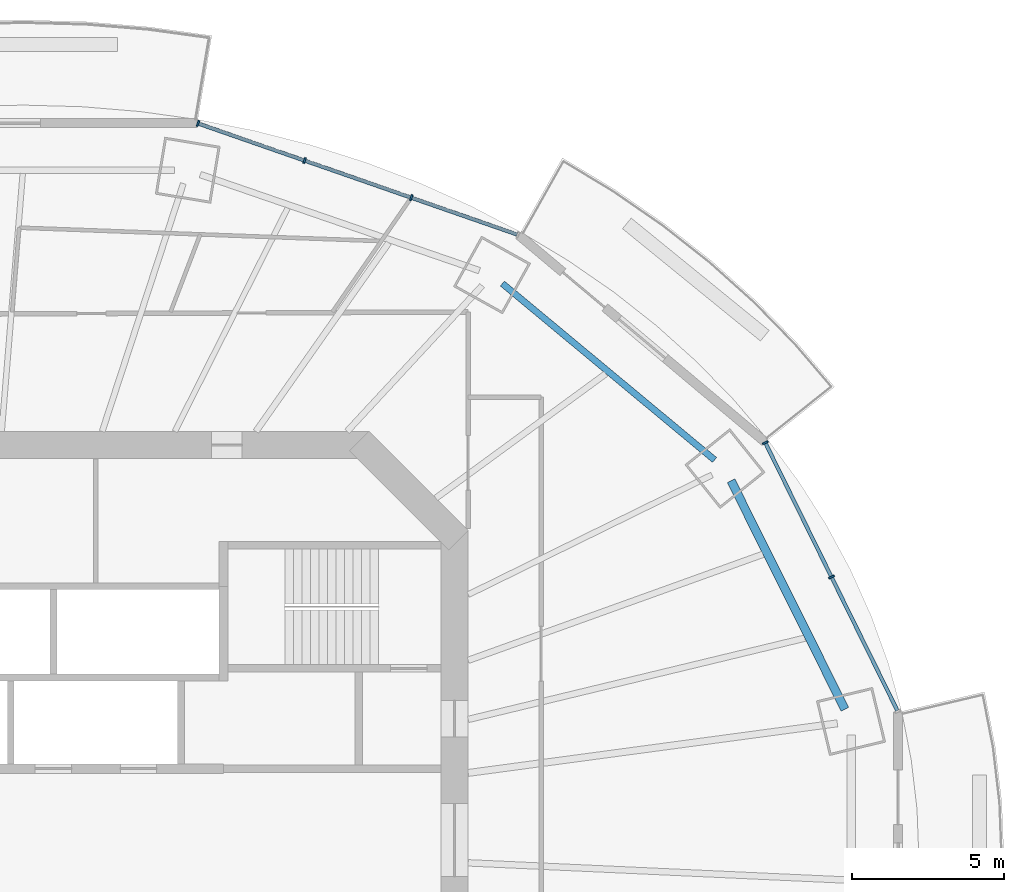
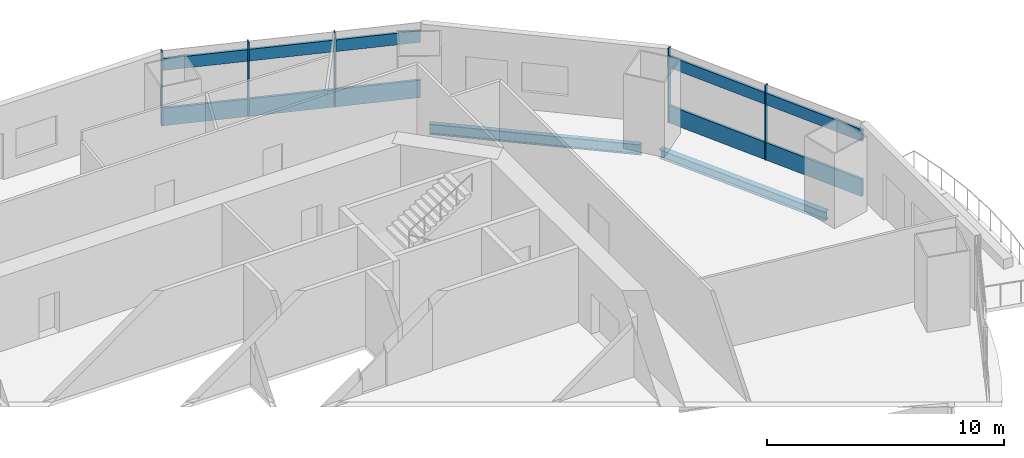
# One storey, part 8 of 16: 14 members, 2 beams, 4 elements without a shape of their own.
"""IFC4 building model written with IfcOpenShell, lengths in metres."""

from ifc_helpers import new_model, si_unit, direction, frame, origin, origin_2d, place, context, subcontext, project, spatial, rectangle, i_section, extrude, material, material_profile, profile_set, type_object, element, aggregate, save


model = new_model("IFC4")

# Units and contexts
model_context = context("Model", 3, precision=1e-05, world=origin(), true_north=direction((0.0, 1.0)))
body_context = subcontext(model_context, "Body", "Model", "MODEL_VIEW")
ifc_project = project(units=[si_unit("LENGTHUNIT", "METRE"), si_unit("AREAUNIT", "SQUARE_METRE"), si_unit("VOLUMEUNIT", "CUBIC_METRE"), si_unit("PLANEANGLEUNIT", "RADIAN"), si_unit("MASSUNIT", "GRAM", prefix="KILO")], contexts=[model_context])

# Site, building, storey
site_placement = place(None, origin())
site = spatial("IfcSite", under=ifc_project, at=site_placement, CompositionType="ELEMENT")
building_placement = place(site_placement, origin())
building = spatial("IfcBuilding", under=site, at=building_placement, Name="Marenthal Gate Tower", CompositionType="ELEMENT")
storey_placement = place(building_placement, frame((0.0, 0.0, 268.949951171875)))
storey = spatial("IfcBuildingStorey", under=building, at=storey_placement, Name="L60", CompositionType="ELEMENT", Elevation=268.949951171875)

# Curtain wall, members
ifc_material_1 = material(Name="Aluminium and glass", Category="aluminium")
curtain_wall_type_1 = type_object("IfcCurtainWallType", Name="Curtain wall typical mid", PredefinedType="NOTDEFINED", material=ifc_material_1)
curtain_wall_1_placement = place(storey_placement, origin())
curtain_wall_1 = element("IfcCurtainWall", 1, at=curtain_wall_1_placement, inside=storey, type_object=curtain_wall_type_1, Name="Curtain wall L60 bay 1", PredefinedType="NOTDEFINED")
ifc_material_2 = material(Name="Aluminium", Category="aluminium")
ifc_material_profile_1 = material_profile(ifc_material_2, rectangle(XDim=0.179931640625, YDim=0.06005859375, at=origin_2d()), Name="60x180 aluminium mullion")
ifc_profile_set_1 = profile_set([ifc_material_profile_1], Name="Aluminium")
member_type_1 = type_object("IfcMemberType", Name="Mullion 60x180 typical mid", PredefinedType="MULLION", material=ifc_profile_set_1)
member_1_placement = place(storey_placement, frame((28.40478515625, 8.65869140625, 0.0), z_axis=(0.0, 0.0, 1.0), x_axis=(-0.896920632002, -0.442191564697, 0.0)))
member_1 = element("IfcMember", 2, at=member_1_placement, type_object=member_type_1, Name="Mullion L60 bay 1.2", PredefinedType="MULLION", context=body_context, shape_type="SweptSolid", body=[
    extrude(rectangle(XDim=0.179931640625, YDim=0.06005859375, at=origin_2d()), origin(), (0.0, 0.0, 1.0), 2.85009765625),
])
member_2_placement = place(storey_placement, frame((26.22607421875, 13.077880859375, 0.0), z_axis=(0.0, 0.0, 1.0), x_axis=(-0.896920632002, -0.442191564697, 0.0)))
member_2 = element("IfcMember", 3, at=member_2_placement, type_object=member_type_1, Name="Mullion L60 bay 1.3", PredefinedType="MULLION", context=body_context, shape_type="SweptSolid", body=[
    extrude(rectangle(XDim=0.179931640625, YDim=0.06005859375, at=origin_2d()), origin(), (0.0, 0.0, 1.0), 2.85009765625),
])

curtain_wall_2_placement = place(storey_placement, origin())
curtain_wall_2 = element("IfcCurtainWall", 4, at=curtain_wall_2_placement, inside=storey, type_object=curtain_wall_type_1, Name="Curtain wall L60 bay 3", PredefinedType="NOTDEFINED")
member_3_placement = place(storey_placement, frame((14.57470703125, 21.141845703125, 0.0), z_axis=(0.0, 0.0, 1.0), x_axis=(-0.328669787971, -0.944444900709, 0.0)))
member_3 = element("IfcMember", 5, at=member_3_placement, type_object=member_type_1, Name="Mullion L60 bay 3.2", PredefinedType="MULLION", context=body_context, shape_type="SweptSolid", body=[
    extrude(rectangle(XDim=0.179931640625, YDim=0.06005859375, at=origin_2d()), origin(), (0.0, 0.0, 1.0), 2.85009765625),
])
member_4_placement = place(storey_placement, frame((11.0654296875, 22.363037109375, 0.0), z_axis=(0.0, 0.0, 1.0), x_axis=(-0.328669787971, -0.944444900709, 0.0)))
member_4 = element("IfcMember", 6, at=member_4_placement, type_object=member_type_1, Name="Mullion L60 bay 3.3", PredefinedType="MULLION", context=body_context, shape_type="SweptSolid", body=[
    extrude(rectangle(XDim=0.179931640625, YDim=0.06005859375, at=origin_2d()), origin(), (0.0, 0.0, 1.0), 2.85009765625),
])
member_5_placement = place(storey_placement, frame((7.556396484375, 23.584228515625, 0.0), z_axis=(0.0, 0.0, 1.0), x_axis=(-0.328669787971, -0.944444900709, 0.0)))
member_5 = element("IfcMember", 7, at=member_5_placement, type_object=member_type_1, Name="Mullion L60 bay 3.4", PredefinedType="MULLION", context=body_context, shape_type="SweptSolid", body=[
    extrude(rectangle(XDim=0.179931640625, YDim=0.06005859375, at=origin_2d()), origin(), (0.0, 0.0, 1.0), 2.85009765625),
])

ifc_material_3 = material(Name="Aluminium and glass", Category="aluminium")
curtain_wall_type_2 = type_object("IfcCurtainWallType", Name="Curtain wall crown clad", PredefinedType="NOTDEFINED", material=ifc_material_3)
curtain_wall_3_placement = place(storey_placement, origin())
curtain_wall_3 = element("IfcCurtainWall", 8, at=curtain_wall_3_placement, inside=storey, type_object=curtain_wall_type_2, Name="Curtain wall L60 bay 1 head band", PredefinedType="NOTDEFINED")
ifc_material_4 = material(Name="Aluminium", Category="aluminium")
ifc_material_profile_2 = material_profile(ifc_material_4, rectangle(XDim=0.199951171875, YDim=0.06005859375, at=origin_2d()), Name="60x200 aluminium mullion")
ifc_profile_set_2 = profile_set([ifc_material_profile_2], Name="Aluminium")
member_type_2 = type_object("IfcMemberType", Name="Mullion 60x200 crown clad", PredefinedType="MULLION", material=ifc_profile_set_2)
member_6_placement = place(storey_placement, frame((28.40478515625, 8.65869140625, 2.85009765625), z_axis=(0.0, 0.0, 1.0), x_axis=(-0.896920632002, -0.442191564697, 0.0)))
member_6 = element("IfcMember", 9, at=member_6_placement, type_object=member_type_2, Name="Mullion L60 bay 1.2", PredefinedType="MULLION", context=body_context, shape_type="SweptSolid", body=[
    extrude(rectangle(XDim=0.199951171875, YDim=0.06005859375, at=origin_2d()), origin(), (0.0, 0.0, 1.0), 1.0),
])
member_7_placement = place(storey_placement, frame((26.22607421875, 13.077880859375, 2.85009765625), z_axis=(0.0, 0.0, 1.0), x_axis=(-0.896920632002, -0.442191564697, 0.0)))
member_7 = element("IfcMember", 10, at=member_7_placement, type_object=member_type_2, Name="Mullion L60 bay 1.3", PredefinedType="MULLION", context=body_context, shape_type="SweptSolid", body=[
    extrude(rectangle(XDim=0.199951171875, YDim=0.06005859375, at=origin_2d()), origin(), (0.0, 0.0, 1.0), 1.0),
])

curtain_wall_4_placement = place(storey_placement, origin())
curtain_wall_4 = element("IfcCurtainWall", 11, at=curtain_wall_4_placement, inside=storey, type_object=curtain_wall_type_2, Name="Curtain wall L60 bay 3 head band", PredefinedType="NOTDEFINED")
member_8_placement = place(storey_placement, frame((14.57470703125, 21.141845703125, 2.85009765625), z_axis=(0.0, 0.0, 1.0), x_axis=(-0.328669787971, -0.944444900709, 0.0)))
member_8 = element("IfcMember", 12, at=member_8_placement, type_object=member_type_2, Name="Mullion L60 bay 3.2", PredefinedType="MULLION", context=body_context, shape_type="SweptSolid", body=[
    extrude(rectangle(XDim=0.199951171875, YDim=0.06005859375, at=origin_2d()), origin(), (0.0, 0.0, 1.0), 1.0),
])
member_9_placement = place(storey_placement, frame((11.0654296875, 22.363037109375, 2.85009765625), z_axis=(0.0, 0.0, 1.0), x_axis=(-0.328669787971, -0.944444900709, 0.0)))
member_9 = element("IfcMember", 13, at=member_9_placement, type_object=member_type_2, Name="Mullion L60 bay 3.3", PredefinedType="MULLION", context=body_context, shape_type="SweptSolid", body=[
    extrude(rectangle(XDim=0.199951171875, YDim=0.06005859375, at=origin_2d()), origin(), (0.0, 0.0, 1.0), 1.0),
])
member_10_placement = place(storey_placement, frame((7.556396484375, 23.584228515625, 2.85009765625), z_axis=(0.0, 0.0, 1.0), x_axis=(-0.328669787971, -0.944444900709, 0.0)))
member_10 = element("IfcMember", 14, at=member_10_placement, type_object=member_type_2, Name="Mullion L60 bay 3.4", PredefinedType="MULLION", context=body_context, shape_type="SweptSolid", body=[
    extrude(rectangle(XDim=0.199951171875, YDim=0.06005859375, at=origin_2d()), origin(), (0.0, 0.0, 1.0), 1.0),
])

# Member
ifc_material_5 = material(Name="Aluminium", Category="aluminium")
ifc_material_profile_3 = material_profile(ifc_material_5, rectangle(XDim=0.1201171875, YDim=0.60009765625, at=origin_2d()), Name="120x600 aluminium transom")
ifc_profile_set_3 = profile_set([ifc_material_profile_3], Name="Aluminium")
member_type_3 = type_object("IfcMemberType", Name="Transom 120x600 crown clad", PredefinedType="USERDEFINED", material=ifc_profile_set_3)
member_11_placement = place(storey_placement, frame((30.5703125, 4.266357421875, 3.150146484375), z_axis=(-0.442201293044, 0.896915835756, 0.0), x_axis=(-0.896915835756, -0.442201293044, 0.0)))
member_11 = element("IfcMember", 15, at=member_11_placement, type_object=member_type_3, Name="Transom L60 bay 1", ObjectType="TRANSOM", PredefinedType="USERDEFINED", context=body_context, shape_type="SweptSolid", body=[
    extrude(rectangle(XDim=0.1201171875, YDim=0.60009765625, at=origin_2d()), origin(), (0.0, 0.0, 1.0), 9.794189453125),
])

aggregate(curtain_wall_3, [member_6, member_7, member_11])

member_12_placement = place(storey_placement, frame((18.055419921875, 19.930419921875, 3.150146484375), z_axis=(-0.944445984358, 0.328666674047, 0.0), x_axis=(-0.328666674047, -0.944445984358, 0.0)))
member_12 = element("IfcMember", 16, at=member_12_placement, type_object=member_type_3, Name="Transom L60 bay 3", ObjectType="TRANSOM", PredefinedType="USERDEFINED", context=body_context, shape_type="SweptSolid", body=[
    extrude(rectangle(XDim=0.1201171875, YDim=0.60009765625, at=origin_2d()), origin(), (0.0, 0.0, 1.0), 11.086669921875),
])

aggregate(curtain_wall_4, [member_8, member_9, member_10, member_12])

ifc_material_6 = material(Name="Aluminium", Category="aluminium")
ifc_material_profile_4 = material_profile(ifc_material_6, rectangle(XDim=0.1201171875, YDim=0.89990234375, at=origin_2d()), Name="120x900 aluminium transom")
ifc_profile_set_4 = profile_set([ifc_material_profile_4], Name="Aluminium")
member_type_4 = type_object("IfcMemberType", Name="Transom 120x900 typical mid", PredefinedType="USERDEFINED", material=ifc_profile_set_4)
member_13_placement = place(storey_placement, frame((30.5703125, 4.266357421875, 0.449951171875), z_axis=(-0.442201293044, 0.896915835756, 0.0), x_axis=(-0.896915835756, -0.442201293044, 0.0)))
member_13 = element("IfcMember", 17, at=member_13_placement, type_object=member_type_4, Name="Transom L60 bay 1", ObjectType="TRANSOM", PredefinedType="USERDEFINED", context=body_context, shape_type="SweptSolid", body=[
    extrude(rectangle(XDim=0.1201171875, YDim=0.89990234375, at=origin_2d()), origin(), (0.0, 0.0, 1.0), 9.794189453125),
])

aggregate(curtain_wall_1, [member_1, member_2, member_13])

member_14_placement = place(storey_placement, frame((18.055419921875, 19.930419921875, 0.449951171875), z_axis=(-0.944445984358, 0.328666674047, 0.0), x_axis=(-0.328666674047, -0.944445984358, 0.0)))
member_14 = element("IfcMember", 18, at=member_14_placement, type_object=member_type_4, Name="Transom L60 bay 3", ObjectType="TRANSOM", PredefinedType="USERDEFINED", context=body_context, shape_type="SweptSolid", body=[
    extrude(rectangle(XDim=0.1201171875, YDim=0.89990234375, at=origin_2d()), origin(), (0.0, 0.0, 1.0), 11.086669921875),
])

aggregate(curtain_wall_2, [member_3, member_4, member_5, member_14])

# Beams
ifc_material_7 = material(Name="Steel S355", Category="steel")
ifc_material_profile_5 = material_profile(ifc_material_7, i_section(OverallWidth=0.279052734375, OverallDepth=0.4619140625, WebThickness=0.0107421875, FlangeThickness=0.017333984375, FilletRadius=0.010009765625, at=origin_2d()), Name="W460X113")
ifc_profile_set_5 = profile_set([ifc_material_profile_5], Name="Steel S355")
beam_type_1 = type_object("IfcBeamType", Name="W460X113 beam", PredefinedType="BEAM", material=ifc_profile_set_5)
beam_1_placement = place(storey_placement, frame((28.8466796875, 4.306396484375, -0.410888671875), z_axis=(-0.446062695792, 0.895001715877, 0.0), x_axis=(-0.895001715877, -0.446062695792, 0.0)))
element("IfcBeam", 19, at=beam_1_placement, inside=storey, type_object=beam_type_1, Name="BM-L60-41", PredefinedType="BEAM", context=body_context, shape_type="SweptSolid", body=[
    extrude(i_section(OverallWidth=0.279052734375, OverallDepth=0.4619140625, WebThickness=0.0107421875, FlangeThickness=0.017333984375, FilletRadius=0.010009765625, at=origin_2d()), origin(), (0.0, 0.0, 1.0), 8.403076171875),
])
ifc_material_8 = material(Name="Steel S355", Category="steel")
ifc_material_profile_6 = material_profile(ifc_material_8, i_section(OverallWidth=0.2119140625, OverallDepth=0.5439453125, WebThickness=0.01318359375, FlangeThickness=0.021240234375, FilletRadius=0.0126953125, at=origin_2d()), Name="W530X123")
ifc_profile_set_6 = profile_set([ifc_material_profile_6], Name="Steel S355")
beam_type_2 = type_object("IfcBeamType", Name="W530X123 beam", PredefinedType="BEAM", material=ifc_profile_set_6)
beam_2_placement = place(storey_placement, frame((24.5576171875, 12.5107421875, -0.451904296875), z_axis=(-0.769071224025, 0.639163087464, 0.0), x_axis=(-0.639163087464, -0.769071224025, 0.0)))
element("IfcBeam", 20, at=beam_2_placement, inside=storey, type_object=beam_type_2, Name="BM-L60-42", PredefinedType="BEAM", context=body_context, shape_type="SweptSolid", body=[
    extrude(i_section(OverallWidth=0.2119140625, OverallDepth=0.5439453125, WebThickness=0.01318359375, FlangeThickness=0.021240234375, FilletRadius=0.0126953125, at=origin_2d()), origin(), (0.0, 0.0, 1.0), 9.0810546875),
])

save(model, "model.ifc")
